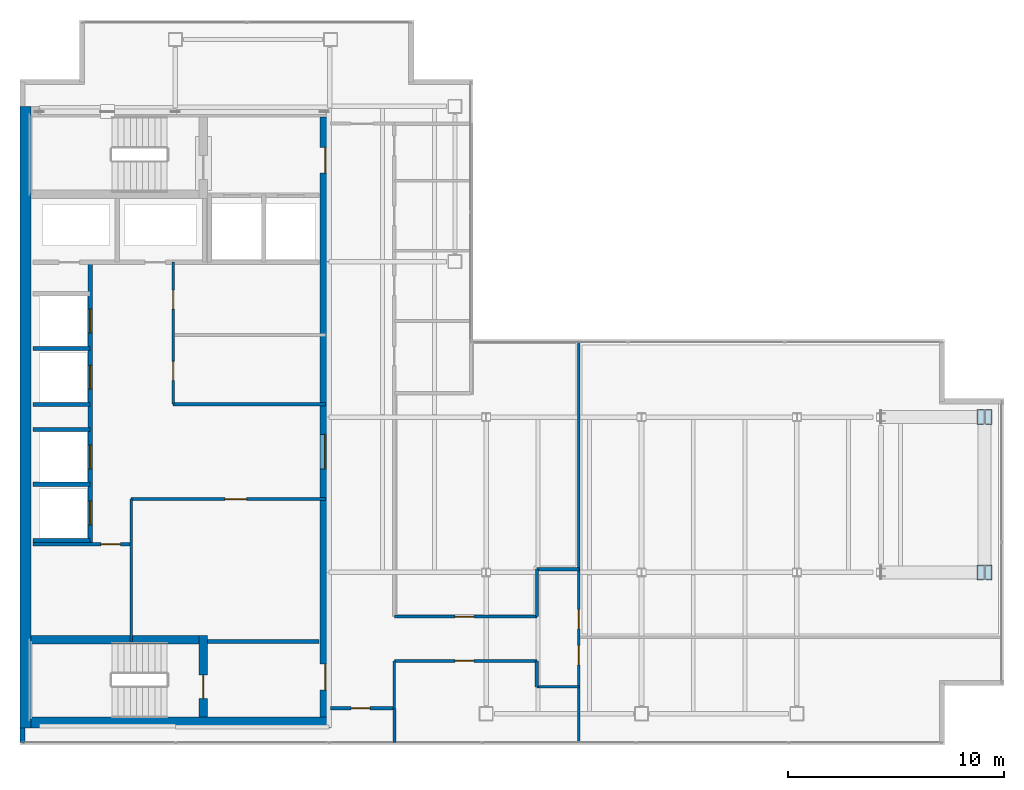
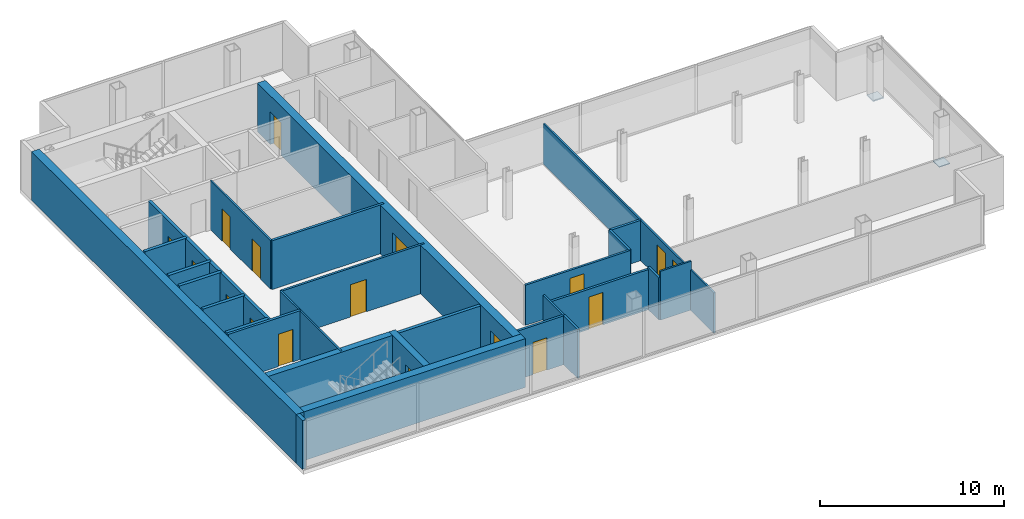
# One storey, part 22 of 24: 28 walls, 17 doors, 2 plates, 17 openings.
"""IFC4 building model written with IfcOpenShell, lengths in metres."""

from ifc_helpers import new_model, si_unit, direction, frame, frame_2d, origin, origin_2d, place, context, subcontext, project, spatial, rectangle, extrude, material, layer, layer_set, type_object, element, fill, save


model = new_model("IFC4")

# Units and contexts
model_context = context("Model", 3, precision=1e-05, world=origin(), true_north=direction((0.0, 1.0)))
body_context = subcontext(model_context, "Body", "Model", "MODEL_VIEW")
ifc_project = project(units=[si_unit("LENGTHUNIT", "METRE"), si_unit("AREAUNIT", "SQUARE_METRE"), si_unit("VOLUMEUNIT", "CUBIC_METRE"), si_unit("PLANEANGLEUNIT", "RADIAN"), si_unit("MASSUNIT", "GRAM", prefix="KILO")], contexts=[model_context])

# Site, building, storey
site_placement = place(None, origin())
site = spatial("IfcSite", under=ifc_project, at=site_placement, CompositionType="ELEMENT")
building_placement = place(site_placement, origin())
building = spatial("IfcBuilding", under=site, at=building_placement, Name="Cobrela Telecom Tower", CompositionType="ELEMENT")
storey_placement = place(building_placement, frame((0.0, 0.0, 241.14990234375)))
storey = spatial("IfcBuildingStorey", under=building, at=storey_placement, Name="L62", CompositionType="ELEMENT", Elevation=241.14990234375)

# Plates
ifc_material_1 = material(Name="Steel ASTM A572 Grade 50", Category="steel")
ifc_layer_1 = layer(ifc_material_1, 0.044921875)
ifc_layer_set_1 = layer_set([ifc_layer_1], Name="Steel ASTM A572 Grade 50")
plate_type = type_object("IfcPlateType", Name="PLT-END-CAP-45", PredefinedType="SHEET", material=ifc_layer_set_1)
for number, where, z_axis, x_axis, name in (
    (1, (44.699951171875, 14.39990234375, -0.04248046875), (0.0, 0.0, 1.0), (1.0, 0.0, 0.0), "L62 Stepped Column Base Cap Plate 81"),
    (2, (44.699951171875, 21.60009765625, -0.04248046875), (0.0, 0.0, 1.0), (1.0, 0.0, 0.0), "L62 Stepped Column Base Cap Plate 82"),
):
    element("IfcPlate", number, at=place(storey_placement, frame(where, z_axis=z_axis, x_axis=x_axis)), inside=storey, type_object=plate_type, Name=name, PredefinedType="SHEET", context=body_context, shape_type="SweptSolid", body=[
        extrude(rectangle(XDim=0.68994140625, YDim=0.68994140625, at=origin_2d()), origin(), (0.0, 0.0, 1.0), 0.044921875),
    ])

# Walls
ifc_material_2 = material(Name="Concrete C40/50", Category="concrete")
ifc_layer_2 = layer(ifc_material_2, 0.5)
ifc_layer_set_2 = layer_set([ifc_layer_2], Name="Concrete C40/50")
wall_type_1 = type_object("IfcWallType", Name="WALL-CORE-C40-500", PredefinedType="SHEAR", material=ifc_layer_set_2)
wall_1_placement = place(storey_placement, frame((0.25, 7.199951171875, 0.0), z_axis=(0.0, 0.0, 1.0), x_axis=(0.0, 1.0, 0.0)))
element("IfcWall", 3, at=wall_1_placement, inside=storey, type_object=wall_type_1, Name="L62 West Core Shear Wall", PredefinedType="SHEAR", context=body_context, shape_type="SweptSolid", body=[
    extrude(rectangle(XDim=28.800048828125, YDim=0.5, at=frame_2d((14.39990234375, 0.0))), origin(), (0.0, 0.0, 1.0), 3.239990234375),
])
wall_2_placement = place(storey_placement, frame((0.5, 7.449951171875, 0.0), z_axis=(0.0, 0.0, 1.0), x_axis=(1.0, 0.0, 0.0)))
element("IfcWall", 4, at=wall_2_placement, inside=storey, type_object=wall_type_1, Name="L62 South Core Shear Wall", PredefinedType="SHEAR", context=body_context, shape_type="SweptSolid", body=[
    extrude(rectangle(XDim=13.89990234375, YDim=0.5, at=frame_2d((6.949951171875, 0.0))), origin(), (0.0, 0.0, 1.0), 3.239990234375),
])

# Wall, openings, doors
wall_3_placement = place(storey_placement, frame((14.14990234375, 35.5, 0.0), z_axis=(0.0, 0.0, 1.0), x_axis=(0.0, -1.0, 0.0)))
wall_3 = element("IfcWall", 5, at=wall_3_placement, inside=storey, type_object=wall_type_1, Name="L62 East Core Shear Wall", PredefinedType="SHEAR", context=body_context, shape_type="SweptSolid", body=[
    extrude(rectangle(XDim=27.800048828125, YDim=0.5, at=frame_2d((13.89990234375, 0.0))), origin(), (0.0, 0.0, 1.0), 3.239990234375),
])
opening_1_placement = place(wall_3_placement, frame((1.39990234375, 0.0, 0.0)))
opening_1 = element("IfcOpeningElement", 6, at=opening_1_placement, cuts=wall_3, Name="Opening DR-19", PredefinedType="OPENING", context=body_context, shape_type="SweptSolid", body=[
    extrude(rectangle(XDim=1.199951171875, YDim=2.14990234375, at=frame_2d((0.60009765625, 1.074951171875))), frame((0.0, 0.261962890625, 0.0), z_axis=(0.0, -1.0, 0.0), x_axis=(1.0, 0.0, 0.0)), (0.0, 0.0, 1.0), 0.52392578125),
])
opening_2_placement = place(wall_3_placement, frame((25.35009765625, 0.0, 0.0)))
opening_2 = element("IfcOpeningElement", 7, at=opening_2_placement, cuts=wall_3, Name="Opening DR-19", PredefinedType="OPENING", context=body_context, shape_type="SweptSolid", body=[
    extrude(rectangle(XDim=1.199951171875, YDim=2.14990234375, at=frame_2d((0.60009765625, 1.074951171875))), frame((0.0, 0.261962890625, 0.0), z_axis=(0.0, -1.0, 0.0), x_axis=(1.0, 0.0, 0.0)), (0.0, 0.0, 1.0), 0.52392578125),
])
opening_3_placement = place(wall_3_placement, frame((14.699951171875, 0.0, 0.0)))
opening_3 = element("IfcOpeningElement", 8, at=opening_3_placement, cuts=wall_3, Name="Opening DR-51", PredefinedType="OPENING", context=body_context, shape_type="SweptSolid", body=[
    extrude(rectangle(XDim=1.60009765625, YDim=2.199951171875, at=frame_2d((0.800048828125, 1.10009765625))), frame((0.0, 0.261962890625, 0.0), z_axis=(0.0, -1.0, 0.0), x_axis=(1.0, 0.0, 0.0)), (0.0, 0.0, 1.0), 0.52392578125),
])
ifc_material_3 = material(Name="Steel ASTM A36", Category="steel")
door_type_1 = type_object("IfcDoorType", Name="DOOR-FD60-1200", OperationType="SINGLE_SWING_LEFT", PredefinedType="DOOR", material=ifc_material_3)
door_1_placement = place(opening_1_placement, origin())
door_1 = element("IfcDoor", 9, at=door_1_placement, inside=storey, type_object=door_type_1, Name="L62 Door DR-19", OperationType="SINGLE_SWING_LEFT", OverallHeight=2.14990234375, OverallWidth=1.199951171875, PredefinedType="DOOR", context=body_context, shape_type="SweptSolid", body=[
    extrude(rectangle(XDim=1.199951171875, YDim=2.14990234375, at=frame_2d((0.60009765625, 1.074951171875))), frame((0.0, 0.02490234375, 0.0), z_axis=(0.0, -1.0, 0.0), x_axis=(1.0, 0.0, 0.0)), (0.0, 0.0, 1.0), 0.050048828125),
])
fill(opening_1, door_1)
door_2_placement = place(opening_2_placement, origin())
door_2 = element("IfcDoor", 10, at=door_2_placement, inside=storey, type_object=door_type_1, Name="L62 Door DR-19", OperationType="SINGLE_SWING_RIGHT", OverallHeight=2.14990234375, OverallWidth=1.199951171875, PredefinedType="DOOR", context=body_context, shape_type="SweptSolid", body=[
    extrude(rectangle(XDim=1.199951171875, YDim=2.14990234375, at=frame_2d((0.60009765625, 1.074951171875))), frame((0.0, 0.02490234375, 0.0), z_axis=(0.0, -1.0, 0.0), x_axis=(1.0, 0.0, 0.0)), (0.0, 0.0, 1.0), 0.050048828125),
])
fill(opening_2, door_2)
door_type_2 = type_object("IfcDoorType", Name="DOOR-FD60-1600", OperationType="SINGLE_SWING_LEFT", PredefinedType="DOOR", material=ifc_material_3)
door_3_placement = place(opening_3_placement, origin())
door_3 = element("IfcDoor", 11, at=door_3_placement, inside=storey, type_object=door_type_2, Name="L62 Door DR-51", OperationType="DOUBLE_DOOR_SINGLE_SWING", OverallHeight=2.199951171875, OverallWidth=1.60009765625, PredefinedType="DOOR", context=body_context, shape_type="SweptSolid", body=[
    extrude(rectangle(XDim=1.60009765625, YDim=2.199951171875, at=frame_2d((0.800048828125, 1.10009765625))), frame((0.0, 0.02490234375, 0.0), z_axis=(0.0, -1.0, 0.0), x_axis=(1.0, 0.0, 0.0)), (0.0, 0.0, 1.0), 0.050048828125),
])
fill(opening_3, door_3)

# Wall
ifc_layer_3 = layer(ifc_material_2, 0.239990234375)
ifc_layer_set_3 = layer_set([ifc_layer_3], Name="Concrete C40/50")
wall_type_2 = type_object("IfcWallType", Name="WALL-EXT-300", PredefinedType="STANDARD", material=ifc_layer_set_3)
wall_4_placement = place(storey_placement, frame((0.1201171875, 6.52001953125, 0.0), z_axis=(0.0, 0.0, 1.0), x_axis=(0.0, 1.0, 0.0)))
element("IfcWall", 12, at=wall_4_placement, inside=storey, type_object=wall_type_2, Name="L62 Insulated Facade Wall 01", PredefinedType="STANDARD", context=body_context, shape_type="SweptSolid", body=[
    extrude(rectangle(XDim=0.679931640625, YDim=0.239990234375, at=frame_2d((0.33984375, 0.0))), origin(), (0.0, 0.0, 1.0), 3.239990234375),
])

# Wall, openings, doors
ifc_material_4 = material(Name="Fire-Rated Gypsum Plasterboard")
ifc_layer_4 = layer(ifc_material_4, 0.110107421875)
ifc_layer_set_4 = layer_set([ifc_layer_4], Name="Fire-Rated Gypsum Plasterboard")
wall_type_3 = type_object("IfcWallType", Name="WALL-PART-110", PredefinedType="PARTITIONING", material=ifc_layer_set_4)
wall_5_placement = place(storey_placement, frame((7.10009765625, 22.199951171875, 0.0), z_axis=(0.0, 0.0, 1.0), x_axis=(0.0, 1.0, 0.0)))
wall_5 = element("IfcWall", 13, at=wall_5_placement, inside=storey, type_object=wall_type_3, Name="L62 Interior Partition CW-RECL-W", PredefinedType="PARTITIONING", context=body_context, shape_type="SweptSolid", body=[
    extrude(rectangle(XDim=6.580078125, YDim=0.110107421875, at=frame_2d((3.2900390625, 0.0))), origin(), (0.0, 0.0, 1.0), 3.239990234375),
])
opening_4_placement = place(wall_5_placement, frame((1.10009765625, 0.0, 0.0)))
opening_4 = element("IfcOpeningElement", 14, at=opening_4_placement, cuts=wall_5, Name="Opening DR-39", PredefinedType="OPENING", context=body_context, shape_type="SweptSolid", body=[
    extrude(rectangle(XDim=0.8798828125, YDim=2.14990234375, at=frame_2d((0.43994140625, 1.074951171875))), frame((0.0, 0.06689453125, 0.0), z_axis=(0.0, -1.0, 0.0), x_axis=(1.0, 0.0, 0.0)), (0.0, 0.0, 1.0), 0.134033203125),
])
opening_5_placement = place(wall_5_placement, frame((4.39990234375, 0.0, 0.0)))
opening_5 = element("IfcOpeningElement", 15, at=opening_5_placement, cuts=wall_5, Name="Opening DR-39", PredefinedType="OPENING", context=body_context, shape_type="SweptSolid", body=[
    extrude(rectangle(XDim=0.8798828125, YDim=2.14990234375, at=frame_2d((0.43994140625, 1.074951171875))), frame((0.0, 0.06689453125, 0.0), z_axis=(0.0, -1.0, 0.0), x_axis=(1.0, 0.0, 0.0)), (0.0, 0.0, 1.0), 0.134033203125),
])
ifc_material_5 = material(Name="Solid Engineered Oak Timber", Category="wood")
door_type_3 = type_object("IfcDoorType", Name="DOOR-INT-880", OperationType="SINGLE_SWING_LEFT", PredefinedType="DOOR", material=ifc_material_5)
door_4_placement = place(opening_4_placement, origin())
door_4 = element("IfcDoor", 16, at=door_4_placement, inside=storey, type_object=door_type_3, Name="L62 Door DR-39", OperationType="SINGLE_SWING_RIGHT", OverallHeight=2.14990234375, OverallWidth=0.8798828125, PredefinedType="DOOR", context=body_context, shape_type="SweptSolid", body=[
    extrude(rectangle(XDim=0.8798828125, YDim=2.14990234375, at=frame_2d((0.43994140625, 1.074951171875))), frame((0.0, 0.02490234375, 0.0), z_axis=(0.0, -1.0, 0.0), x_axis=(1.0, 0.0, 0.0)), (0.0, 0.0, 1.0), 0.050048828125),
])
fill(opening_4, door_4)
door_5_placement = place(opening_5_placement, origin())
door_5 = element("IfcDoor", 17, at=door_5_placement, inside=storey, type_object=door_type_3, Name="L62 Door DR-39", OperationType="SINGLE_SWING_LEFT", OverallHeight=2.14990234375, OverallWidth=0.8798828125, PredefinedType="DOOR", context=body_context, shape_type="SweptSolid", body=[
    extrude(rectangle(XDim=0.8798828125, YDim=2.14990234375, at=frame_2d((0.43994140625, 1.074951171875))), frame((0.0, 0.02490234375, 0.0), z_axis=(0.0, -1.0, 0.0), x_axis=(1.0, 0.0, 0.0)), (0.0, 0.0, 1.0), 0.050048828125),
])
fill(opening_5, door_5)

# Walls
wall_6_placement = place(storey_placement, frame((5.14990234375, 11.199951171875, 0.0), z_axis=(0.0, 0.0, 1.0), x_axis=(0.0, 1.0, 0.0)))
element("IfcWall", 18, at=wall_6_placement, inside=storey, type_object=wall_type_3, Name="L62 Interior Partition CW-RECM-W", PredefinedType="PARTITIONING", context=body_context, shape_type="SweptSolid", body=[
    extrude(rectangle(XDim=6.60009765625, YDim=0.110107421875, at=frame_2d((3.300048828125, 0.0))), origin(), (0.0, 0.0, 1.0), 3.239990234375),
])
wall_7_placement = place(storey_placement, frame((17.35009765625, 8.10009765625, 0.0), z_axis=(0.0, 0.0, 1.0), x_axis=(0.0, 1.0, 0.0)))
element("IfcWall", 19, at=wall_7_placement, inside=storey, type_object=wall_type_3, Name="L62 Interior Partition W-C-E1", PredefinedType="PARTITIONING", context=body_context, shape_type="SweptSolid", body=[
    extrude(rectangle(XDim=2.199951171875, YDim=0.110107421875, at=frame_2d((1.10009765625, 0.0))), origin(), (0.0, 0.0, 1.0), 3.239990234375),
])
wall_8_placement = place(storey_placement, frame((23.949951171875, 9.10009765625, 0.0), z_axis=(0.0, 0.0, 1.0), x_axis=(1.0, 0.0, 0.0)))
element("IfcWall", 20, at=wall_8_placement, inside=storey, type_object=wall_type_3, Name="L62 Interior Partition W-CT-S", PredefinedType="PARTITIONING", context=body_context, shape_type="SweptSolid", body=[
    extrude(rectangle(XDim=1.949951171875, YDim=0.110107421875, at=frame_2d((0.97509765625, 0.0))), origin(), (0.0, 0.0, 1.0), 3.239990234375),
])

# Wall, openings, doors
wall_9_placement = place(storey_placement, frame((25.89990234375, 6.52001953125, 0.0), z_axis=(0.0, 0.0, 1.0), x_axis=(0.0, 1.0, 0.0)))
wall_9 = element("IfcWall", 21, at=wall_9_placement, inside=storey, type_object=wall_type_3, Name="L62 Interior Partition W-C-END", PredefinedType="PARTITIONING", context=body_context, shape_type="SweptSolid", body=[
    extrude(rectangle(XDim=18.56005859375, YDim=0.110107421875, at=frame_2d((9.280029296875, 0.0))), origin(), (0.0, 0.0, 1.0), 2.676025390625),
])
opening_6_placement = place(wall_9_placement, frame((3.590087890625, 0.0, 0.0)))
opening_6 = element("IfcOpeningElement", 22, at=opening_6_placement, cuts=wall_9, Name="Opening DR-41", PredefinedType="OPENING", context=body_context, shape_type="SweptSolid", body=[
    extrude(rectangle(XDim=0.89990234375, YDim=2.14990234375, at=frame_2d((0.449951171875, 1.074951171875))), frame((0.0, 0.06689453125, 0.0), z_axis=(0.0, -1.0, 0.0), x_axis=(1.0, 0.0, 0.0)), (0.0, 0.0, 1.0), 0.134033203125),
])
opening_7_placement = place(wall_9_placement, frame((5.260009765625, 0.0, 0.0)))
opening_7 = element("IfcOpeningElement", 23, at=opening_7_placement, cuts=wall_9, Name="Opening DR-41", PredefinedType="OPENING", context=body_context, shape_type="SweptSolid", body=[
    extrude(rectangle(XDim=0.89990234375, YDim=2.14990234375, at=frame_2d((0.449951171875, 1.074951171875))), frame((0.0, 0.06689453125, 0.0), z_axis=(0.0, -1.0, 0.0), x_axis=(1.0, 0.0, 0.0)), (0.0, 0.0, 1.0), 0.134033203125),
])
door_type_4 = type_object("IfcDoorType", Name="DOOR-INT-900", OperationType="SINGLE_SWING_LEFT", PredefinedType="DOOR", material=ifc_material_5)
door_6_placement = place(opening_6_placement, origin())
door_6 = element("IfcDoor", 24, at=door_6_placement, inside=storey, type_object=door_type_4, Name="L62 Door DR-41", OperationType="SINGLE_SWING_LEFT", OverallHeight=2.14990234375, OverallWidth=0.89990234375, PredefinedType="DOOR", context=body_context, shape_type="SweptSolid", body=[
    extrude(rectangle(XDim=0.89990234375, YDim=2.14990234375, at=frame_2d((0.449951171875, 1.074951171875))), frame((0.0, 0.02490234375, 0.0), z_axis=(0.0, -1.0, 0.0), x_axis=(1.0, 0.0, 0.0)), (0.0, 0.0, 1.0), 0.050048828125),
])
fill(opening_6, door_6)
door_7_placement = place(opening_7_placement, origin())
door_7 = element("IfcDoor", 25, at=door_7_placement, inside=storey, type_object=door_type_4, Name="L62 Door DR-41", OperationType="SINGLE_SWING_RIGHT", OverallHeight=2.14990234375, OverallWidth=0.89990234375, PredefinedType="DOOR", context=body_context, shape_type="SweptSolid", body=[
    extrude(rectangle(XDim=0.89990234375, YDim=2.14990234375, at=frame_2d((0.449951171875, 1.074951171875))), frame((0.0, 0.02490234375, 0.0), z_axis=(0.0, -1.0, 0.0), x_axis=(1.0, 0.0, 0.0)), (0.0, 0.0, 1.0), 0.050048828125),
])
fill(opening_7, door_7)

# Wall, opening, door
ifc_layer_5 = layer(ifc_material_4, 0.135009765625)
ifc_layer_set_5 = layer_set([ifc_layer_5], Name="Fire-Rated Gypsum Plasterboard")
wall_type_4 = type_object("IfcWallType", Name="WALL-PART-135", PredefinedType="PARTITIONING", material=ifc_layer_set_5)
wall_10_placement = place(storey_placement, frame((5.14990234375, 17.800048828125, 0.0), z_axis=(0.0, 0.0, 1.0), x_axis=(1.0, 0.0, 0.0)))
wall_10 = element("IfcWall", 26, at=wall_10_placement, inside=storey, type_object=wall_type_4, Name="L62 Interior Partition CW-RECM-N", PredefinedType="PARTITIONING", context=body_context, shape_type="SweptSolid", body=[
    extrude(rectangle(XDim=9.0, YDim=0.135009765625, at=frame_2d((4.5, 0.0))), origin(), (0.0, 0.0, 1.0), 3.239990234375),
])
opening_8_placement = place(wall_10_placement, frame((4.35009765625, 0.0, 0.0)))
opening_8 = element("IfcOpeningElement", 27, at=opening_8_placement, cuts=wall_10, Name="Opening DR-31", PredefinedType="OPENING", context=body_context, shape_type="SweptSolid", body=[
    extrude(rectangle(XDim=1.0, YDim=2.14990234375, at=frame_2d((0.5, 1.074951171875))), frame((0.0, 0.07958984375, 0.0), z_axis=(0.0, -1.0, 0.0), x_axis=(1.0, 0.0, 0.0)), (0.0, 0.0, 1.0), 0.158935546875),
])
door_type_5 = type_object("IfcDoorType", Name="DOOR-INT-1000", OperationType="SINGLE_SWING_LEFT", PredefinedType="DOOR", material=ifc_material_5)
door_8_placement = place(opening_8_placement, origin())
door_8 = element("IfcDoor", 28, at=door_8_placement, inside=storey, type_object=door_type_5, Name="L62 Door DR-31", OperationType="SINGLE_SWING_LEFT", OverallHeight=2.14990234375, OverallWidth=1.0, PredefinedType="DOOR", context=body_context, shape_type="SweptSolid", body=[
    extrude(rectangle(XDim=1.0, YDim=2.14990234375, at=frame_2d((0.5, 1.074951171875))), frame((0.0, 0.02490234375, 0.0), z_axis=(0.0, -1.0, 0.0), x_axis=(1.0, 0.0, 0.0)), (0.0, 0.0, 1.0), 0.050048828125),
])
fill(opening_8, door_8)

wall_11_placement = place(storey_placement, frame((17.35009765625, 12.35009765625, 0.0), z_axis=(0.0, 0.0, 1.0), x_axis=(1.0, 0.0, 0.0)))
wall_11 = element("IfcWall", 29, at=wall_11_placement, inside=storey, type_object=wall_type_4, Name="L62 Interior Partition W-C-HN", PredefinedType="PARTITIONING", context=body_context, shape_type="SweptSolid", body=[
    extrude(rectangle(XDim=6.599853515625, YDim=0.135009765625, at=frame_2d((3.2998046875, 0.0))), origin(), (0.0, 0.0, 1.0), 2.676025390625),
])
opening_9_placement = place(wall_11_placement, frame((2.800048828125, 0.0, 0.0)))
opening_9 = element("IfcOpeningElement", 30, at=opening_9_placement, cuts=wall_11, Name="Opening DR-39", PredefinedType="OPENING", context=body_context, shape_type="SweptSolid", body=[
    extrude(rectangle(XDim=0.8798828125, YDim=2.14990234375, at=frame_2d((0.43994140625, 1.074951171875))), frame((0.0, 0.07958984375, 0.0), z_axis=(0.0, -1.0, 0.0), x_axis=(1.0, 0.0, 0.0)), (0.0, 0.0, 1.0), 0.158935546875),
])
door_9_placement = place(opening_9_placement, origin())
door_9 = element("IfcDoor", 31, at=door_9_placement, inside=storey, type_object=door_type_3, Name="L62 Door DR-39", OperationType="SINGLE_SWING_LEFT", OverallHeight=2.14990234375, OverallWidth=0.8798828125, PredefinedType="DOOR", context=body_context, shape_type="SweptSolid", body=[
    extrude(rectangle(XDim=0.8798828125, YDim=2.14990234375, at=frame_2d((0.43994140625, 1.074951171875))), frame((0.0, 0.02490234375, 0.0), z_axis=(0.0, -1.0, 0.0), x_axis=(1.0, 0.0, 0.0)), (0.0, 0.0, 1.0), 0.050048828125),
])
fill(opening_9, door_9)

# Walls
wall_12_placement = place(storey_placement, frame((23.949951171875, 12.35009765625, 0.0), z_axis=(0.0, 0.0, 1.0), x_axis=(0.0, 1.0, 0.0)))
element("IfcWall", 32, at=wall_12_placement, inside=storey, type_object=wall_type_4, Name="L62 Interior Partition W-CT-JW2", PredefinedType="PARTITIONING", context=body_context, shape_type="SweptSolid", body=[
    extrude(rectangle(XDim=2.199951171875, YDim=0.135009765625, at=frame_2d((1.10009765625, 0.0))), origin(), (0.0, 0.0, 1.0), 2.676025390625),
])
wall_13_placement = place(storey_placement, frame((17.35009765625, 6.52001953125, 0.0), z_axis=(0.0, 0.0, 1.0), x_axis=(0.0, 1.0, 0.0)))
element("IfcWall", 33, at=wall_13_placement, inside=storey, type_object=wall_type_4, Name="L62 Interior Partition W-SW-E", PredefinedType="PARTITIONING", context=body_context, shape_type="SweptSolid", body=[
    extrude(rectangle(XDim=1.580078125, YDim=0.135009765625, at=frame_2d((0.7900390625, 0.0))), origin(), (0.0, 0.0, 1.0), 3.239990234375),
])

# Wall, opening, door
ifc_layer_6 = layer(ifc_material_4, 0.14990234375)
ifc_layer_set_6 = layer_set([ifc_layer_6], Name="Fire-Rated Gypsum Plasterboard")
wall_type_5 = type_object("IfcWallType", Name="WALL-PART-150", PredefinedType="PARTITIONING", material=ifc_layer_set_6)
wall_14_placement = place(storey_placement, frame((14.39990234375, 8.10009765625, 0.0), z_axis=(0.0, 0.0, 1.0), x_axis=(1.0, 0.0, 0.0)))
wall_14 = element("IfcWall", 34, at=wall_14_placement, inside=storey, type_object=wall_type_5, Name="L62 Interior Partition W-C-S0", PredefinedType="PARTITIONING", context=body_context, shape_type="SweptSolid", body=[
    extrude(rectangle(XDim=2.9501953125, YDim=0.14990234375, at=frame_2d((1.47509765625, 0.0))), origin(), (0.0, 0.0, 1.0), 3.239990234375),
])
opening_10_placement = place(wall_14_placement, frame((0.949951171875, 0.0, 0.0)))
opening_10 = element("IfcOpeningElement", 35, at=opening_10_placement, cuts=wall_14, Name="Opening DR-39", PredefinedType="OPENING", context=body_context, shape_type="SweptSolid", body=[
    extrude(rectangle(XDim=0.8798828125, YDim=2.14990234375, at=frame_2d((0.43994140625, 1.074951171875))), frame((0.0, 0.0869140625, 0.0), z_axis=(0.0, -1.0, 0.0), x_axis=(1.0, 0.0, 0.0)), (0.0, 0.0, 1.0), 0.173828125),
])
door_10_placement = place(opening_10_placement, origin())
door_10 = element("IfcDoor", 36, at=door_10_placement, inside=storey, type_object=door_type_3, Name="L62 Door DR-39", OperationType="SINGLE_SWING_RIGHT", OverallHeight=2.14990234375, OverallWidth=0.8798828125, PredefinedType="DOOR", context=body_context, shape_type="SweptSolid", body=[
    extrude(rectangle(XDim=0.8798828125, YDim=2.14990234375, at=frame_2d((0.43994140625, 1.074951171875))), frame((0.0, 0.02490234375, 0.0), z_axis=(0.0, -1.0, 0.0), x_axis=(1.0, 0.0, 0.0)), (0.0, 0.0, 1.0), 0.050048828125),
])
fill(opening_10, door_10)

wall_15_placement = place(storey_placement, frame((17.35009765625, 10.300048828125, 0.0), z_axis=(0.0, 0.0, 1.0), x_axis=(1.0, 0.0, 0.0)))
wall_15 = element("IfcWall", 37, at=wall_15_placement, inside=storey, type_object=wall_type_5, Name="L62 Interior Partition W-C-HS", PredefinedType="PARTITIONING", context=body_context, shape_type="SweptSolid", body=[
    extrude(rectangle(XDim=6.599853515625, YDim=0.14990234375, at=frame_2d((3.2998046875, 0.0))), origin(), (0.0, 0.0, 1.0), 2.676025390625),
])
opening_11_placement = place(wall_15_placement, frame((2.800048828125, 0.0, 0.0)))
opening_11 = element("IfcOpeningElement", 38, at=opening_11_placement, cuts=wall_15, Name="Opening DR-39", PredefinedType="OPENING", context=body_context, shape_type="SweptSolid", body=[
    extrude(rectangle(XDim=0.8798828125, YDim=2.14990234375, at=frame_2d((0.43994140625, 1.074951171875))), frame((0.0, 0.0869140625, 0.0), z_axis=(0.0, -1.0, 0.0), x_axis=(1.0, 0.0, 0.0)), (0.0, 0.0, 1.0), 0.173828125),
])
door_11_placement = place(opening_11_placement, origin())
door_11 = element("IfcDoor", 39, at=door_11_placement, inside=storey, type_object=door_type_3, Name="L62 Door DR-39", OperationType="SINGLE_SWING_LEFT", OverallHeight=2.14990234375, OverallWidth=0.8798828125, PredefinedType="DOOR", context=body_context, shape_type="SweptSolid", body=[
    extrude(rectangle(XDim=0.8798828125, YDim=2.14990234375, at=frame_2d((0.43994140625, 1.074951171875))), frame((0.0, 0.02490234375, 0.0), z_axis=(0.0, -1.0, 0.0), x_axis=(1.0, 0.0, 0.0)), (0.0, 0.0, 1.0), 0.050048828125),
])
fill(opening_11, door_11)

# Walls
wall_16_placement = place(storey_placement, frame((23.949951171875, 9.10009765625, 0.0), z_axis=(0.0, 0.0, 1.0), x_axis=(0.0, 1.0, 0.0)))
element("IfcWall", 40, at=wall_16_placement, inside=storey, type_object=wall_type_5, Name="L62 Interior Partition W-CT-JW1", PredefinedType="PARTITIONING", context=body_context, shape_type="SweptSolid", body=[
    extrude(rectangle(XDim=1.199951171875, YDim=0.14990234375, at=frame_2d((0.60009765625, 0.0))), origin(), (0.0, 0.0, 1.0), 2.80810546875),
])
ifc_layer_7 = layer(ifc_material_4, 0.159912109375)
ifc_layer_set_7 = layer_set([ifc_layer_7], Name="Fire-Rated Gypsum Plasterboard")
wall_type_6 = type_object("IfcWallType", Name="WALL-PART-160", PredefinedType="PARTITIONING", material=ifc_layer_set_7)
wall_17_placement = place(storey_placement, frame((7.10009765625, 22.199951171875, 0.0), z_axis=(0.0, 0.0, 1.0), x_axis=(1.0, 0.0, 0.0)))
element("IfcWall", 41, at=wall_17_placement, inside=storey, type_object=wall_type_6, Name="L62 Interior Partition CW-RECL-S", PredefinedType="PARTITIONING", context=body_context, shape_type="SweptSolid", body=[
    extrude(rectangle(XDim=7.0498046875, YDim=0.159912109375, at=frame_2d((3.52490234375, 0.0))), origin(), (0.0, 0.0, 1.0), 3.239990234375),
])

# Wall, opening, door
wall_18_placement = place(storey_placement, frame((0.60009765625, 15.699951171875, 0.0), z_axis=(0.0, 0.0, 1.0), x_axis=(1.0, 0.0, 0.0)))
wall_18 = element("IfcWall", 42, at=wall_18_placement, inside=storey, type_object=wall_type_6, Name="L62 Interior Partition CW-FLEX-N", PredefinedType="PARTITIONING", context=body_context, shape_type="SweptSolid", body=[
    extrude(rectangle(XDim=4.5498046875, YDim=0.159912109375, at=frame_2d((2.27490234375, 0.0))), origin(), (0.0, 0.0, 1.0), 3.239990234375),
])
opening_12_placement = place(wall_18_placement, frame((3.14990234375, 0.0, 0.0)))
opening_12 = element("IfcOpeningElement", 43, at=opening_12_placement, cuts=wall_18, Name="Opening DR-41", PredefinedType="OPENING", context=body_context, shape_type="SweptSolid", body=[
    extrude(rectangle(XDim=0.89990234375, YDim=2.14990234375, at=frame_2d((0.449951171875, 1.074951171875))), frame((0.0, 0.091796875, 0.0), z_axis=(0.0, -1.0, 0.0), x_axis=(1.0, 0.0, 0.0)), (0.0, 0.0, 1.0), 0.183837890625),
])
door_12_placement = place(opening_12_placement, origin())
door_12 = element("IfcDoor", 44, at=door_12_placement, inside=storey, type_object=door_type_4, Name="L62 Door DR-41", OperationType="SINGLE_SWING_LEFT", OverallHeight=2.14990234375, OverallWidth=0.89990234375, PredefinedType="DOOR", context=body_context, shape_type="SweptSolid", body=[
    extrude(rectangle(XDim=0.89990234375, YDim=2.14990234375, at=frame_2d((0.449951171875, 1.074951171875))), frame((0.0, 0.02490234375, 0.0), z_axis=(0.0, -1.0, 0.0), x_axis=(1.0, 0.0, 0.0)), (0.0, 0.0, 1.0), 0.050048828125),
])
fill(opening_12, door_12)

# Walls
wall_19_placement = place(storey_placement, frame((23.949951171875, 14.550048828125, 0.0), z_axis=(0.0, 0.0, 1.0), x_axis=(1.0, 0.0, 0.0)))
element("IfcWall", 45, at=wall_19_placement, inside=storey, type_object=wall_type_6, Name="L62 Interior Partition W-CT-N", PredefinedType="PARTITIONING", context=body_context, shape_type="SweptSolid", body=[
    extrude(rectangle(XDim=1.949951171875, YDim=0.159912109375, at=frame_2d((0.97509765625, 0.0))), origin(), (0.0, 0.0, 1.0), 2.676025390625),
])
ifc_layer_8 = layer(ifc_material_4, 0.199951171875)
ifc_layer_set_8 = layer_set([ifc_layer_8], Name="Fire-Rated Gypsum Plasterboard")
wall_type_7 = type_object("IfcWallType", Name="WALL-SHAFT-200", PredefinedType="PARTITIONING", material=ifc_layer_set_8)
wall_20_placement = place(storey_placement, frame((8.699951171875, 11.199951171875, 0.0), z_axis=(0.0, 0.0, 1.0), x_axis=(1.0, 0.0, 0.0)))
element("IfcWall", 46, at=wall_20_placement, inside=storey, type_object=wall_type_7, Name="L62 Shaft Enclosure CW-ST2L-N", PredefinedType="PARTITIONING", context=body_context, shape_type="SweptSolid", body=[
    extrude(rectangle(XDim=5.150146484375, YDim=0.199951171875, at=frame_2d((2.5751953125, 0.0))), origin(), (0.0, 0.0, 1.0), 3.239990234375),
])

# Wall, openings, doors
wall_21_placement = place(storey_placement, frame((3.25, 15.699951171875, 0.0), z_axis=(0.0, 0.0, 1.0), x_axis=(0.0, 1.0, 0.0)))
wall_21 = element("IfcWall", 47, at=wall_21_placement, inside=storey, type_object=wall_type_7, Name="L62 Shaft Enclosure CW-PLH-E", PredefinedType="PARTITIONING", context=body_context, shape_type="SweptSolid", body=[
    extrude(rectangle(XDim=13.080078125, YDim=0.199951171875, at=frame_2d((6.5400390625, 0.0))), origin(), (0.0, 0.0, 1.0), 3.239990234375),
])
opening_13_placement = place(wall_21_placement, frame((0.89990234375, 0.0, 0.0)))
opening_13 = element("IfcOpeningElement", 48, at=opening_13_placement, cuts=wall_21, Name="Opening LD-1", PredefinedType="OPENING", context=body_context, shape_type="SweptSolid", body=[
    extrude(rectangle(XDim=1.10009765625, YDim=2.199951171875, at=frame_2d((0.550048828125, 1.10009765625))), frame((0.0, 0.11181640625, 0.0), z_axis=(0.0, -1.0, 0.0), x_axis=(1.0, 0.0, 0.0)), (0.0, 0.0, 1.0), 0.223876953125),
])
opening_14_placement = place(wall_21_placement, frame((3.5, 0.0, 0.0)))
opening_14 = element("IfcOpeningElement", 49, at=opening_14_placement, cuts=wall_21, Name="Opening LD-1", PredefinedType="OPENING", context=body_context, shape_type="SweptSolid", body=[
    extrude(rectangle(XDim=1.10009765625, YDim=2.199951171875, at=frame_2d((0.550048828125, 1.10009765625))), frame((0.0, 0.11181640625, 0.0), z_axis=(0.0, -1.0, 0.0), x_axis=(1.0, 0.0, 0.0)), (0.0, 0.0, 1.0), 0.223876953125),
])
opening_15_placement = place(wall_21_placement, frame((7.199951171875, 0.0, 0.0)))
opening_15 = element("IfcOpeningElement", 50, at=opening_15_placement, cuts=wall_21, Name="Opening LD-1", PredefinedType="OPENING", context=body_context, shape_type="SweptSolid", body=[
    extrude(rectangle(XDim=1.10009765625, YDim=2.199951171875, at=frame_2d((0.550048828125, 1.10009765625))), frame((0.0, 0.11181640625, 0.0), z_axis=(0.0, -1.0, 0.0), x_axis=(1.0, 0.0, 0.0)), (0.0, 0.0, 1.0), 0.223876953125),
])
opening_16_placement = place(wall_21_placement, frame((9.800048828125, 0.0, 0.0)))
opening_16 = element("IfcOpeningElement", 51, at=opening_16_placement, cuts=wall_21, Name="Opening LD-1", PredefinedType="OPENING", context=body_context, shape_type="SweptSolid", body=[
    extrude(rectangle(XDim=1.10009765625, YDim=2.199951171875, at=frame_2d((0.550048828125, 1.10009765625))), frame((0.0, 0.11181640625, 0.0), z_axis=(0.0, -1.0, 0.0), x_axis=(1.0, 0.0, 0.0)), (0.0, 0.0, 1.0), 0.223876953125),
])
door_type_6 = type_object("IfcDoorType", Name="DOOR-LD-PL", OperationType="SINGLE_SWING_LEFT", PredefinedType="DOOR", material=ifc_material_3)
door_13_placement = place(opening_13_placement, origin())
door_13 = element("IfcDoor", 52, at=door_13_placement, inside=storey, type_object=door_type_6, Name="L62 Lift Landing Door LD-1", OperationType="DOUBLE_DOOR_SLIDING", OverallHeight=2.199951171875, OverallWidth=1.10009765625, PredefinedType="DOOR", context=body_context, shape_type="SweptSolid", body=[
    extrude(rectangle(XDim=1.10009765625, YDim=2.199951171875, at=frame_2d((0.550048828125, 1.10009765625))), frame((0.0, 0.02490234375, 0.0), z_axis=(0.0, -1.0, 0.0), x_axis=(1.0, 0.0, 0.0)), (0.0, 0.0, 1.0), 0.050048828125),
])
fill(opening_13, door_13)
door_14_placement = place(opening_14_placement, origin())
door_14 = element("IfcDoor", 53, at=door_14_placement, inside=storey, type_object=door_type_6, Name="L62 Lift Landing Door LD-1", OperationType="DOUBLE_DOOR_SLIDING", OverallHeight=2.199951171875, OverallWidth=1.10009765625, PredefinedType="DOOR", context=body_context, shape_type="SweptSolid", body=[
    extrude(rectangle(XDim=1.10009765625, YDim=2.199951171875, at=frame_2d((0.550048828125, 1.10009765625))), frame((0.0, 0.02490234375, 0.0), z_axis=(0.0, -1.0, 0.0), x_axis=(1.0, 0.0, 0.0)), (0.0, 0.0, 1.0), 0.050048828125),
])
fill(opening_14, door_14)
door_15_placement = place(opening_15_placement, origin())
door_15 = element("IfcDoor", 54, at=door_15_placement, inside=storey, type_object=door_type_6, Name="L62 Lift Landing Door LD-1", OperationType="DOUBLE_DOOR_SLIDING", OverallHeight=2.199951171875, OverallWidth=1.10009765625, PredefinedType="DOOR", context=body_context, shape_type="SweptSolid", body=[
    extrude(rectangle(XDim=1.10009765625, YDim=2.199951171875, at=frame_2d((0.550048828125, 1.10009765625))), frame((0.0, 0.02490234375, 0.0), z_axis=(0.0, -1.0, 0.0), x_axis=(1.0, 0.0, 0.0)), (0.0, 0.0, 1.0), 0.050048828125),
])
fill(opening_15, door_15)
door_16_placement = place(opening_16_placement, origin())
door_16 = element("IfcDoor", 55, at=door_16_placement, inside=storey, type_object=door_type_6, Name="L62 Lift Landing Door LD-1", OperationType="DOUBLE_DOOR_SLIDING", OverallHeight=2.199951171875, OverallWidth=1.10009765625, PredefinedType="DOOR", context=body_context, shape_type="SweptSolid", body=[
    extrude(rectangle(XDim=1.10009765625, YDim=2.199951171875, at=frame_2d((0.550048828125, 1.10009765625))), frame((0.0, 0.02490234375, 0.0), z_axis=(0.0, -1.0, 0.0), x_axis=(1.0, 0.0, 0.0)), (0.0, 0.0, 1.0), 0.050048828125),
])
fill(opening_16, door_16)

# Walls
for number, where, z_axis, x_axis, name in (
    (56, (0.60009765625, 15.8798828125, 0.0), (0.0, 0.0, 1.0), (1.0, 0.0, 0.0), "L62 Shaft Enclosure CW-PLH-D9"),
    (57, (0.60009765625, 18.47998046875, 0.0), (0.0, 0.0, 1.0), (1.0, 0.0, 0.0), "L62 Shaft Enclosure CW-PLH-D10"),
    (58, (0.60009765625, 22.179931640625, 0.0), (0.0, 0.0, 1.0), (1.0, 0.0, 0.0), "L62 Shaft Enclosure CW-PLH-D11"),
    (59, (0.60009765625, 24.780029296875, 0.0), (0.0, 0.0, 1.0), (1.0, 0.0, 0.0), "L62 Shaft Enclosure CW-PLH-D12"),
    (60, (0.60009765625, 21.02001953125, 0.0), (0.0, 0.0, 1.0), (1.0, 0.0, 0.0), "L62 Shaft Enclosure CW-PLH-MID"),
):
    element("IfcWall", number, at=place(storey_placement, frame(where, z_axis=z_axis, x_axis=x_axis)), inside=storey, type_object=wall_type_7, Name=name, PredefinedType="PARTITIONING", context=body_context, shape_type="SweptSolid", body=[
        extrude(rectangle(XDim=2.64990234375, YDim=0.199951171875, at=frame_2d((1.324951171875, 0.0))), origin(), (0.0, 0.0, 1.0), 3.239990234375),
    ])
ifc_layer_9 = layer(ifc_material_2, 0.39990234375)
ifc_layer_set_9 = layer_set([ifc_layer_9], Name="Concrete C40/50")
wall_type_8 = type_object("IfcWallType", Name="WALL-SHAFT-C40-400", PredefinedType="SHEAR", material=ifc_layer_set_9)
wall_22_placement = place(storey_placement, frame((0.5, 11.280029296875, 0.0), z_axis=(0.0, 0.0, 1.0), x_axis=(1.0, 0.0, 0.0)))
element("IfcWall", 61, at=wall_22_placement, inside=storey, type_object=wall_type_8, Name="L62 South Stair Shear Wall", PredefinedType="SHEAR", context=body_context, shape_type="SweptSolid", body=[
    extrude(rectangle(XDim=7.800048828125, YDim=0.39990234375, at=frame_2d((3.89990234375, 0.0))), origin(), (0.0, 0.0, 1.0), 3.239990234375),
])

# Wall, opening, door
wall_23_placement = place(storey_placement, frame((8.5, 7.699951171875, 0.0), z_axis=(0.0, 0.0, 1.0), x_axis=(0.0, 1.0, 0.0)))
wall_23 = element("IfcWall", 62, at=wall_23_placement, inside=storey, type_object=wall_type_8, Name="L62 South Stair Lobby Shear Wall", PredefinedType="SHEAR", context=body_context, shape_type="SweptSolid", body=[
    extrude(rectangle(XDim=3.780029296875, YDim=0.39990234375, at=frame_2d((1.89013671875, 0.0))), origin(), (0.0, 0.0, 1.0), 3.239990234375),
])
opening_17_placement = place(wall_23_placement, frame((0.85009765625, 0.0, 0.0)))
opening_17 = element("IfcOpeningElement", 63, at=opening_17_placement, cuts=wall_23, Name="Opening FD-90", PredefinedType="OPENING", context=body_context, shape_type="SweptSolid", body=[
    extrude(rectangle(XDim=1.10009765625, YDim=2.14990234375, at=frame_2d((0.550048828125, 1.074951171875))), frame((0.0, 0.2119140625, 0.0), z_axis=(0.0, -1.0, 0.0), x_axis=(1.0, 0.0, 0.0)), (0.0, 0.0, 1.0), 0.423828125),
])
door_type_7 = type_object("IfcDoorType", Name="DOOR-FD90-1100", OperationType="SINGLE_SWING_LEFT", PredefinedType="DOOR", material=ifc_material_3)
door_17_placement = place(opening_17_placement, origin())
door_17 = element("IfcDoor", 64, at=door_17_placement, inside=storey, type_object=door_type_7, Name="L62 Door FD-90", OperationType="SINGLE_SWING_LEFT", OverallHeight=2.14990234375, OverallWidth=1.10009765625, PredefinedType="DOOR", context=body_context, shape_type="SweptSolid", body=[
    extrude(rectangle(XDim=1.10009765625, YDim=2.14990234375, at=frame_2d((0.550048828125, 1.074951171875))), frame((0.0, 0.02490234375, 0.0), z_axis=(0.0, -1.0, 0.0), x_axis=(1.0, 0.0, 0.0)), (0.0, 0.0, 1.0), 0.050048828125),
])
fill(opening_17, door_17)

save(model, "model.ifc")
